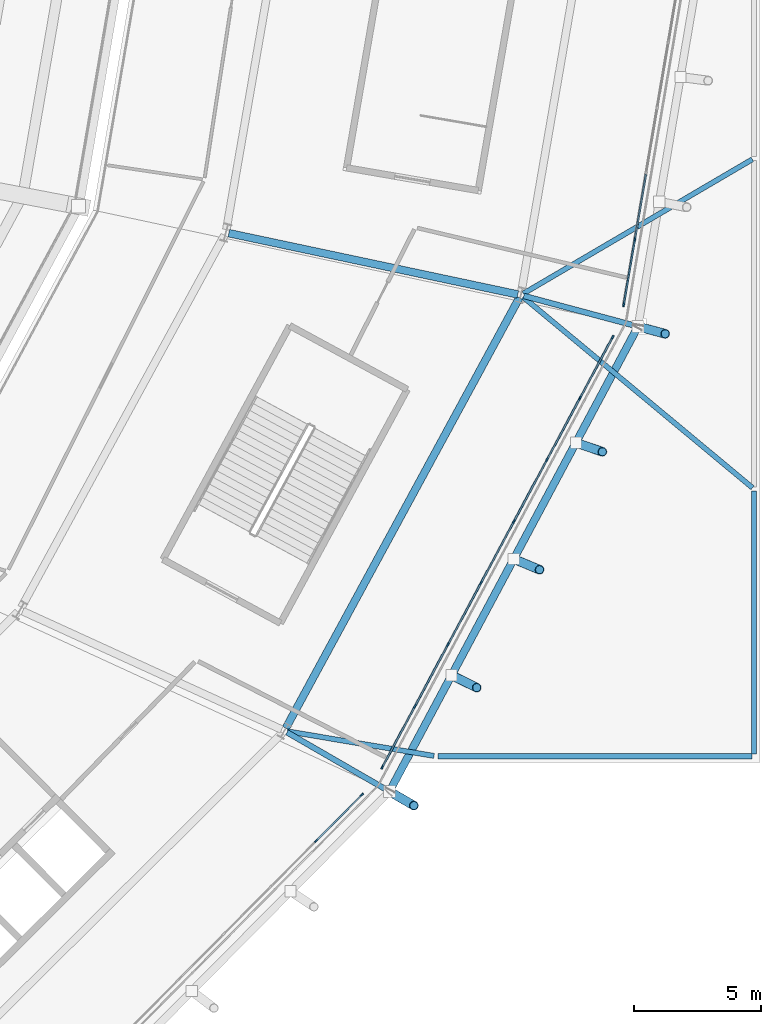
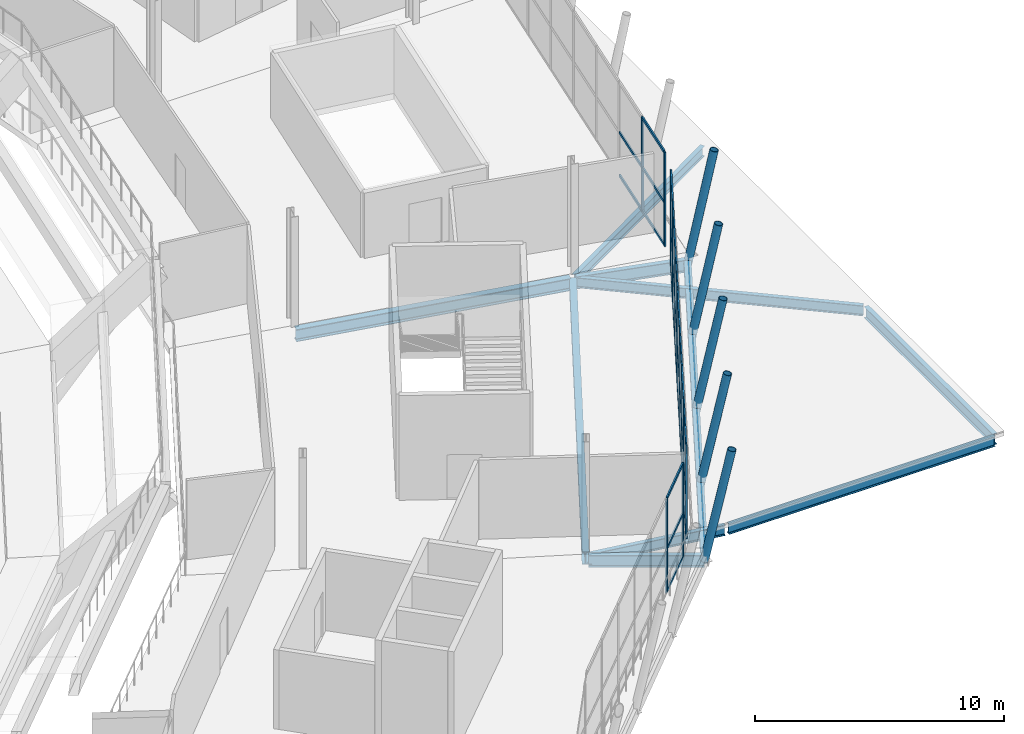
# One storey, part 42 of 126: 46 members, 10 beams, 3 elements without a shape of their own.
"""IFC4 building model written with IfcOpenShell, lengths in metres."""

from ifc_helpers import new_model, si_unit, direction, frame, origin, origin_2d, place, context, subcontext, project, spatial, rectangle, hollow_rectangle, hollow_circle, i_section, extrude, material, material_profile, profile_set, type_object, element, aggregate, save


model = new_model("IFC4")

# Units and contexts
model_context = context("Model", 3, precision=1e-05, world=origin(), true_north=direction((0.0, 1.0)))
body_context = subcontext(model_context, "Body", "Model", "MODEL_VIEW")
ifc_project = project(units=[si_unit("LENGTHUNIT", "METRE"), si_unit("AREAUNIT", "SQUARE_METRE"), si_unit("VOLUMEUNIT", "CUBIC_METRE"), si_unit("PLANEANGLEUNIT", "RADIAN"), si_unit("MASSUNIT", "GRAM", prefix="KILO")], contexts=[model_context])

# Site, building, storey
site_placement = place(None, origin())
site = spatial("IfcSite", under=ifc_project, at=site_placement, CompositionType="ELEMENT")
building_placement = place(site_placement, origin())
building = spatial("IfcBuilding", under=site, at=building_placement, Name="Zlatoyarsky Gate Stadium", CompositionType="ELEMENT")
storey_placement = place(building_placement, frame((0.0, 0.0, 20.800048828125)))
storey = spatial("IfcBuildingStorey", under=building, at=storey_placement, Name="L04", CompositionType="ELEMENT", Elevation=20.800048828125)

# Curtain wall, members
ifc_material_1 = material(Name="Thermally broken anodised aluminium curtain wall", Category="aluminium")
curtain_wall_type = type_object("IfcCurtainWallType", Name="UNITISED MEDIA RING GLAZING L04", PredefinedType="USERDEFINED", material=ifc_material_1)
curtain_wall_1_placement = place(storey_placement, origin())
curtain_wall_1 = element("IfcCurtainWall", 1, at=curtain_wall_1_placement, inside=storey, type_object=curtain_wall_type, Name="Curtain wall CW-L04-21", ObjectType="UNITISED GLAZING", PredefinedType="USERDEFINED")
ifc_material_2 = material(Name="Anodised aluminium 6063-T6", Category="aluminium")
ifc_material_profile_1 = material_profile(ifc_material_2, rectangle(XDim=0.06494140625, YDim=0.159912109375, at=origin_2d()), Name="ALU 65X160")
ifc_profile_set_1 = profile_set([ifc_material_profile_1], Name="Anodised aluminium 6063-T6")
member_type_1 = type_object("IfcMemberType", Name="ALUMINIUM MULLION 65X160", PredefinedType="MULLION", material=ifc_profile_set_1)
member_1_placement = place(storey_placement, frame((192.79296875, 40.17578125, 0.0), z_axis=(0.0, 0.0, 1.0), x_axis=(-0.709870536386, 0.704332181269, 0.0)))
member_1 = element("IfcMember", 2, at=member_1_placement, type_object=member_type_1, Name="CW-UG4 mullion 8", PredefinedType="MULLION", context=body_context, shape_type="SweptSolid", body=[
    extrude(rectangle(XDim=0.06494140625, YDim=0.159912109375, at=origin_2d()), origin(), (0.0, 0.0, 1.0), 4.619873046875),
])
member_2_placement = place(storey_placement, frame((194.583984375, 41.980712890625, 0.0), z_axis=(0.0, 0.0, 1.0), x_axis=(-0.709870536386, 0.704332181269, 0.0)))
member_2 = element("IfcMember", 3, at=member_2_placement, type_object=member_type_1, Name="CW-UG4 mullion 9", PredefinedType="MULLION", context=body_context, shape_type="SweptSolid", body=[
    extrude(rectangle(XDim=0.06494140625, YDim=0.159912109375, at=origin_2d()), origin(), (0.0, 0.0, 1.0), 4.619873046875),
])

curtain_wall_2_placement = place(storey_placement, origin())
curtain_wall_2 = element("IfcCurtainWall", 4, at=curtain_wall_2_placement, inside=storey, type_object=curtain_wall_type, Name="Curtain wall CW-L04-22", ObjectType="UNITISED GLAZING", PredefinedType="USERDEFINED")
member_3_placement = place(storey_placement, frame((195.386962890625, 43.06689453125, 0.0), z_axis=(0.0, 0.0, 1.0), x_axis=(-0.881520920878, 0.472144962966, 0.0)))
member_3 = element("IfcMember", 5, at=member_3_placement, type_object=member_type_1, Name="CW-UG4 mullion 1", PredefinedType="MULLION", context=body_context, shape_type="SweptSolid", body=[
    extrude(rectangle(XDim=0.06494140625, YDim=0.159912109375, at=origin_2d()), origin(), (0.0, 0.0, 1.0), 4.619873046875),
])
member_4_placement = place(storey_placement, frame((196.669189453125, 45.4609375, 0.0), z_axis=(0.0, 0.0, 1.0), x_axis=(-0.881520920878, 0.472144962966, 0.0)))
member_4 = element("IfcMember", 6, at=member_4_placement, type_object=member_type_1, Name="CW-UG4 mullion 2", PredefinedType="MULLION", context=body_context, shape_type="SweptSolid", body=[
    extrude(rectangle(XDim=0.06494140625, YDim=0.159912109375, at=origin_2d()), origin(), (0.0, 0.0, 1.0), 4.619873046875),
])
member_5_placement = place(storey_placement, frame((197.966796875, 47.8837890625, 0.0), z_axis=(0.0, 0.0, 1.0), x_axis=(-0.881520920878, 0.472144962966, 0.0)))
member_5 = element("IfcMember", 7, at=member_5_placement, type_object=member_type_1, Name="CW-UG4 mullion 3", PredefinedType="MULLION", context=body_context, shape_type="SweptSolid", body=[
    extrude(rectangle(XDim=0.06494140625, YDim=0.159912109375, at=origin_2d()), origin(), (0.0, 0.0, 1.0), 4.619873046875),
])
member_6_placement = place(storey_placement, frame((199.2646484375, 50.306396484375, 0.0), z_axis=(0.0, 0.0, 1.0), x_axis=(-0.881520920878, 0.472144962966, 0.0)))
member_6 = element("IfcMember", 8, at=member_6_placement, type_object=member_type_1, Name="CW-UG4 mullion 4", PredefinedType="MULLION", context=body_context, shape_type="SweptSolid", body=[
    extrude(rectangle(XDim=0.06494140625, YDim=0.159912109375, at=origin_2d()), origin(), (0.0, 0.0, 1.0), 4.619873046875),
])
member_7_placement = place(storey_placement, frame((200.562255859375, 52.729248046875, 0.0), z_axis=(0.0, 0.0, 1.0), x_axis=(-0.881520920878, 0.472144962966, 0.0)))
member_7 = element("IfcMember", 9, at=member_7_placement, type_object=member_type_1, Name="CW-UG4 mullion 5", PredefinedType="MULLION", context=body_context, shape_type="SweptSolid", body=[
    extrude(rectangle(XDim=0.06494140625, YDim=0.159912109375, at=origin_2d()), origin(), (0.0, 0.0, 1.0), 4.619873046875),
])
member_8_placement = place(storey_placement, frame((201.85986328125, 55.152099609375, 0.0), z_axis=(0.0, 0.0, 1.0), x_axis=(-0.881520920878, 0.472144962966, 0.0)))
member_8 = element("IfcMember", 10, at=member_8_placement, type_object=member_type_1, Name="CW-UG4 mullion 6", PredefinedType="MULLION", context=body_context, shape_type="SweptSolid", body=[
    extrude(rectangle(XDim=0.06494140625, YDim=0.159912109375, at=origin_2d()), origin(), (0.0, 0.0, 1.0), 4.619873046875),
])
member_9_placement = place(storey_placement, frame((203.157470703125, 57.57470703125, 0.0), z_axis=(0.0, 0.0, 1.0), x_axis=(-0.881520920878, 0.472144962966, 0.0)))
member_9 = element("IfcMember", 11, at=member_9_placement, type_object=member_type_1, Name="CW-UG4 mullion 7", PredefinedType="MULLION", context=body_context, shape_type="SweptSolid", body=[
    extrude(rectangle(XDim=0.06494140625, YDim=0.159912109375, at=origin_2d()), origin(), (0.0, 0.0, 1.0), 4.619873046875),
])
member_10_placement = place(storey_placement, frame((204.439697265625, 59.968994140625, 0.0), z_axis=(0.0, 0.0, 1.0), x_axis=(-0.881520920878, 0.472144962966, 0.0)))
member_10 = element("IfcMember", 12, at=member_10_placement, type_object=member_type_1, Name="CW-UG4 mullion 8", PredefinedType="MULLION", context=body_context, shape_type="SweptSolid", body=[
    extrude(rectangle(XDim=0.06494140625, YDim=0.159912109375, at=origin_2d()), origin(), (0.0, 0.0, 1.0), 4.619873046875),
])

curtain_wall_3_placement = place(storey_placement, origin())
curtain_wall_3 = element("IfcCurtainWall", 13, at=curtain_wall_3_placement, inside=storey, type_object=curtain_wall_type, Name="Curtain wall CW-L04-23", ObjectType="UNITISED GLAZING", PredefinedType="USERDEFINED")
member_11_placement = place(storey_placement, frame((204.87646484375, 61.243408203125, 0.0), z_axis=(0.0, 0.0, 1.0), x_axis=(-0.985817460475, 0.167821138782, 0.0)))
member_11 = element("IfcMember", 14, at=member_11_placement, type_object=member_type_1, Name="CW-UG4 mullion 1", PredefinedType="MULLION", context=body_context, shape_type="SweptSolid", body=[
    extrude(rectangle(XDim=0.06494140625, YDim=0.159912109375, at=origin_2d()), origin(), (0.0, 0.0, 1.0), 4.619873046875),
])
member_12_placement = place(storey_placement, frame((205.3125, 63.803955078125, 0.0), z_axis=(0.0, 0.0, 1.0), x_axis=(-0.985817460475, 0.167821138782, 0.0)))
member_12 = element("IfcMember", 15, at=member_12_placement, type_object=member_type_1, Name="CW-UG4 mullion 2", PredefinedType="MULLION", context=body_context, shape_type="SweptSolid", body=[
    extrude(rectangle(XDim=0.06494140625, YDim=0.159912109375, at=origin_2d()), origin(), (0.0, 0.0, 1.0), 4.619873046875),
])

# Member
ifc_material_profile_2 = material_profile(ifc_material_2, rectangle(XDim=0.06494140625, YDim=0.139892578125, at=origin_2d()), Name="ALU 65X140")
ifc_profile_set_2 = profile_set([ifc_material_profile_2], Name="Anodised aluminium 6063-T6")
member_type_2 = type_object("IfcMemberType", Name="ALUMINIUM TRANSOM 65X140", PredefinedType="USERDEFINED", material=ifc_profile_set_2)
member_13_placement = place(storey_placement, frame((192.81591796875, 40.19873046875, 0.032470703125), z_axis=(0.704293097674, 0.709909312919, 0.0), x_axis=(-0.709909312919, 0.704293097674, 0.0)))
member_13 = element("IfcMember", 16, at=member_13_placement, type_object=member_type_2, Name="CW-UG4 transom 8.1", ObjectType="TRANSOM", PredefinedType="USERDEFINED", context=body_context, shape_type="SweptSolid", body=[
    extrude(rectangle(XDim=0.06494140625, YDim=0.139892578125, at=origin_2d()), origin(), (0.0, 0.0, 1.0), 2.477783203125),
])

member_14_placement = place(storey_placement, frame((192.81591796875, 40.19873046875, 2.14990234375), z_axis=(0.704293097674, 0.709909312919, 0.0), x_axis=(-0.709909312919, 0.704293097674, 0.0)))
member_14 = element("IfcMember", 17, at=member_14_placement, type_object=member_type_2, Name="CW-UG4 transom 8.2", ObjectType="TRANSOM", PredefinedType="USERDEFINED", context=body_context, shape_type="SweptSolid", body=[
    extrude(rectangle(XDim=0.06494140625, YDim=0.139892578125, at=origin_2d()), origin(), (0.0, 0.0, 1.0), 2.477783203125),
])

member_15_placement = place(storey_placement, frame((192.81591796875, 40.19873046875, 4.58740234375), z_axis=(0.704293097674, 0.709909312919, 0.0), x_axis=(-0.709909312919, 0.704293097674, 0.0)))
member_15 = element("IfcMember", 18, at=member_15_placement, type_object=member_type_2, Name="CW-UG4 transom 8.3", ObjectType="TRANSOM", PredefinedType="USERDEFINED", context=body_context, shape_type="SweptSolid", body=[
    extrude(rectangle(XDim=0.06494140625, YDim=0.139892578125, at=origin_2d()), origin(), (0.0, 0.0, 1.0), 2.477783203125),
])

aggregate(curtain_wall_1, [member_1, member_2, member_13, member_14, member_15])

member_16_placement = place(storey_placement, frame((195.40234375, 43.095458984375, 0.032470703125), z_axis=(0.472088510191, 0.881551154809, 0.0), x_axis=(-0.881551154809, 0.472088510191, 0.0)))
member_16 = element("IfcMember", 19, at=member_16_placement, type_object=member_type_2, Name="CW-UG4 transom 1.1", ObjectType="TRANSOM", PredefinedType="USERDEFINED", context=body_context, shape_type="SweptSolid", body=[
    extrude(rectangle(XDim=0.06494140625, YDim=0.139892578125, at=origin_2d()), origin(), (0.0, 0.0, 1.0), 2.65087890625),
])

member_17_placement = place(storey_placement, frame((195.40234375, 43.095458984375, 2.14990234375), z_axis=(0.472088510191, 0.881551154809, 0.0), x_axis=(-0.881551154809, 0.472088510191, 0.0)))
member_17 = element("IfcMember", 20, at=member_17_placement, type_object=member_type_2, Name="CW-UG4 transom 1.2", ObjectType="TRANSOM", PredefinedType="USERDEFINED", context=body_context, shape_type="SweptSolid", body=[
    extrude(rectangle(XDim=0.06494140625, YDim=0.139892578125, at=origin_2d()), origin(), (0.0, 0.0, 1.0), 2.65087890625),
])

member_18_placement = place(storey_placement, frame((195.40234375, 43.095458984375, 4.58740234375), z_axis=(0.472088510191, 0.881551154809, 0.0), x_axis=(-0.881551154809, 0.472088510191, 0.0)))
member_18 = element("IfcMember", 21, at=member_18_placement, type_object=member_type_2, Name="CW-UG4 transom 1.3", ObjectType="TRANSOM", PredefinedType="USERDEFINED", context=body_context, shape_type="SweptSolid", body=[
    extrude(rectangle(XDim=0.06494140625, YDim=0.139892578125, at=origin_2d()), origin(), (0.0, 0.0, 1.0), 2.65087890625),
])

member_19_placement = place(storey_placement, frame((196.6845703125, 45.489501953125, 0.032470703125), z_axis=(0.47218354153, 0.88150025701, 0.0), x_axis=(-0.88150025701, 0.47218354153, 0.0)))
member_19 = element("IfcMember", 22, at=member_19_placement, type_object=member_type_2, Name="CW-UG4 transom 2.1", ObjectType="TRANSOM", PredefinedType="USERDEFINED", context=body_context, shape_type="SweptSolid", body=[
    extrude(rectangle(XDim=0.06494140625, YDim=0.139892578125, at=origin_2d()), origin(), (0.0, 0.0, 1.0), 2.683349609375),
])

member_20_placement = place(storey_placement, frame((196.6845703125, 45.489501953125, 2.14990234375), z_axis=(0.47218354153, 0.88150025701, 0.0), x_axis=(-0.88150025701, 0.47218354153, 0.0)))
member_20 = element("IfcMember", 23, at=member_20_placement, type_object=member_type_2, Name="CW-UG4 transom 2.2", ObjectType="TRANSOM", PredefinedType="USERDEFINED", context=body_context, shape_type="SweptSolid", body=[
    extrude(rectangle(XDim=0.06494140625, YDim=0.139892578125, at=origin_2d()), origin(), (0.0, 0.0, 1.0), 2.683349609375),
])

member_21_placement = place(storey_placement, frame((196.6845703125, 45.489501953125, 4.58740234375), z_axis=(0.47218354153, 0.88150025701, 0.0), x_axis=(-0.88150025701, 0.47218354153, 0.0)))
member_21 = element("IfcMember", 24, at=member_21_placement, type_object=member_type_2, Name="CW-UG4 transom 2.3", ObjectType="TRANSOM", PredefinedType="USERDEFINED", context=body_context, shape_type="SweptSolid", body=[
    extrude(rectangle(XDim=0.06494140625, YDim=0.139892578125, at=origin_2d()), origin(), (0.0, 0.0, 1.0), 2.683349609375),
])

member_22_placement = place(storey_placement, frame((197.982177734375, 47.912353515625, 0.032470703125), z_axis=(0.47218354153, 0.88150025701, 0.0), x_axis=(-0.88150025701, 0.47218354153, 0.0)))
member_22 = element("IfcMember", 25, at=member_22_placement, type_object=member_type_2, Name="CW-UG4 transom 3.1", ObjectType="TRANSOM", PredefinedType="USERDEFINED", context=body_context, shape_type="SweptSolid", body=[
    extrude(rectangle(XDim=0.06494140625, YDim=0.139892578125, at=origin_2d()), origin(), (0.0, 0.0, 1.0), 2.683349609375),
])

member_23_placement = place(storey_placement, frame((197.982177734375, 47.912353515625, 2.14990234375), z_axis=(0.47218354153, 0.88150025701, 0.0), x_axis=(-0.88150025701, 0.47218354153, 0.0)))
member_23 = element("IfcMember", 26, at=member_23_placement, type_object=member_type_2, Name="CW-UG4 transom 3.2", ObjectType="TRANSOM", PredefinedType="USERDEFINED", context=body_context, shape_type="SweptSolid", body=[
    extrude(rectangle(XDim=0.06494140625, YDim=0.139892578125, at=origin_2d()), origin(), (0.0, 0.0, 1.0), 2.683349609375),
])

member_24_placement = place(storey_placement, frame((197.982177734375, 47.912353515625, 4.58740234375), z_axis=(0.47218354153, 0.88150025701, 0.0), x_axis=(-0.88150025701, 0.47218354153, 0.0)))
member_24 = element("IfcMember", 27, at=member_24_placement, type_object=member_type_2, Name="CW-UG4 transom 3.3", ObjectType="TRANSOM", PredefinedType="USERDEFINED", context=body_context, shape_type="SweptSolid", body=[
    extrude(rectangle(XDim=0.06494140625, YDim=0.139892578125, at=origin_2d()), origin(), (0.0, 0.0, 1.0), 2.683349609375),
])

member_25_placement = place(storey_placement, frame((199.27978515625, 50.335205078125, 0.032470703125), z_axis=(0.47218354153, 0.88150025701, 0.0), x_axis=(-0.88150025701, 0.47218354153, 0.0)))
member_25 = element("IfcMember", 28, at=member_25_placement, type_object=member_type_2, Name="CW-UG4 transom 4.1", ObjectType="TRANSOM", PredefinedType="USERDEFINED", context=body_context, shape_type="SweptSolid", body=[
    extrude(rectangle(XDim=0.06494140625, YDim=0.139892578125, at=origin_2d()), origin(), (0.0, 0.0, 1.0), 2.683349609375),
])

member_26_placement = place(storey_placement, frame((199.27978515625, 50.335205078125, 2.14990234375), z_axis=(0.47218354153, 0.88150025701, 0.0), x_axis=(-0.88150025701, 0.47218354153, 0.0)))
member_26 = element("IfcMember", 29, at=member_26_placement, type_object=member_type_2, Name="CW-UG4 transom 4.2", ObjectType="TRANSOM", PredefinedType="USERDEFINED", context=body_context, shape_type="SweptSolid", body=[
    extrude(rectangle(XDim=0.06494140625, YDim=0.139892578125, at=origin_2d()), origin(), (0.0, 0.0, 1.0), 2.683349609375),
])

member_27_placement = place(storey_placement, frame((199.27978515625, 50.335205078125, 4.58740234375), z_axis=(0.47218354153, 0.88150025701, 0.0), x_axis=(-0.88150025701, 0.47218354153, 0.0)))
member_27 = element("IfcMember", 30, at=member_27_placement, type_object=member_type_2, Name="CW-UG4 transom 4.3", ObjectType="TRANSOM", PredefinedType="USERDEFINED", context=body_context, shape_type="SweptSolid", body=[
    extrude(rectangle(XDim=0.06494140625, YDim=0.139892578125, at=origin_2d()), origin(), (0.0, 0.0, 1.0), 2.683349609375),
])

member_28_placement = place(storey_placement, frame((200.57763671875, 52.758056640625, 0.032470703125), z_axis=(0.472150710596, 0.881517842408, 0.0), x_axis=(-0.881517842408, 0.472150710596, 0.0)))
member_28 = element("IfcMember", 31, at=member_28_placement, type_object=member_type_2, Name="CW-UG4 transom 5.1", ObjectType="TRANSOM", PredefinedType="USERDEFINED", context=body_context, shape_type="SweptSolid", body=[
    extrude(rectangle(XDim=0.06494140625, YDim=0.139892578125, at=origin_2d()), origin(), (0.0, 0.0, 1.0), 2.68310546875),
])

member_29_placement = place(storey_placement, frame((200.57763671875, 52.758056640625, 2.14990234375), z_axis=(0.472150710596, 0.881517842408, 0.0), x_axis=(-0.881517842408, 0.472150710596, 0.0)))
member_29 = element("IfcMember", 32, at=member_29_placement, type_object=member_type_2, Name="CW-UG4 transom 5.2", ObjectType="TRANSOM", PredefinedType="USERDEFINED", context=body_context, shape_type="SweptSolid", body=[
    extrude(rectangle(XDim=0.06494140625, YDim=0.139892578125, at=origin_2d()), origin(), (0.0, 0.0, 1.0), 2.68310546875),
])

member_30_placement = place(storey_placement, frame((200.57763671875, 52.758056640625, 4.58740234375), z_axis=(0.472150710596, 0.881517842408, 0.0), x_axis=(-0.881517842408, 0.472150710596, 0.0)))
member_30 = element("IfcMember", 33, at=member_30_placement, type_object=member_type_2, Name="CW-UG4 transom 5.3", ObjectType="TRANSOM", PredefinedType="USERDEFINED", context=body_context, shape_type="SweptSolid", body=[
    extrude(rectangle(XDim=0.06494140625, YDim=0.139892578125, at=origin_2d()), origin(), (0.0, 0.0, 1.0), 2.68310546875),
])

member_31_placement = place(storey_placement, frame((201.875244140625, 55.1806640625, 0.032470703125), z_axis=(0.472112842027, 0.881538124186, 0.0), x_axis=(-0.881538124186, 0.472112842027, 0.0)))
member_31 = element("IfcMember", 34, at=member_31_placement, type_object=member_type_2, Name="CW-UG4 transom 6.1", ObjectType="TRANSOM", PredefinedType="USERDEFINED", context=body_context, shape_type="SweptSolid", body=[
    extrude(rectangle(XDim=0.06494140625, YDim=0.139892578125, at=origin_2d()), origin(), (0.0, 0.0, 1.0), 2.683349609375),
])

member_32_placement = place(storey_placement, frame((201.875244140625, 55.1806640625, 2.14990234375), z_axis=(0.472112842027, 0.881538124186, 0.0), x_axis=(-0.881538124186, 0.472112842027, 0.0)))
member_32 = element("IfcMember", 35, at=member_32_placement, type_object=member_type_2, Name="CW-UG4 transom 6.2", ObjectType="TRANSOM", PredefinedType="USERDEFINED", context=body_context, shape_type="SweptSolid", body=[
    extrude(rectangle(XDim=0.06494140625, YDim=0.139892578125, at=origin_2d()), origin(), (0.0, 0.0, 1.0), 2.683349609375),
])

member_33_placement = place(storey_placement, frame((201.875244140625, 55.1806640625, 4.58740234375), z_axis=(0.472112842027, 0.881538124186, 0.0), x_axis=(-0.881538124186, 0.472112842027, 0.0)))
member_33 = element("IfcMember", 36, at=member_33_placement, type_object=member_type_2, Name="CW-UG4 transom 6.3", ObjectType="TRANSOM", PredefinedType="USERDEFINED", context=body_context, shape_type="SweptSolid", body=[
    extrude(rectangle(XDim=0.06494140625, YDim=0.139892578125, at=origin_2d()), origin(), (0.0, 0.0, 1.0), 2.683349609375),
])

member_34_placement = place(storey_placement, frame((203.1728515625, 57.603515625, 0.032470703125), z_axis=(0.472126840824, 0.881530626906, 0.0), x_axis=(-0.881530626906, 0.472126840824, 0.0)))
member_34 = element("IfcMember", 37, at=member_34_placement, type_object=member_type_2, Name="CW-UG4 transom 7.1", ObjectType="TRANSOM", PredefinedType="USERDEFINED", context=body_context, shape_type="SweptSolid", body=[
    extrude(rectangle(XDim=0.06494140625, YDim=0.139892578125, at=origin_2d()), origin(), (0.0, 0.0, 1.0), 2.650634765625),
])

member_35_placement = place(storey_placement, frame((203.1728515625, 57.603515625, 2.14990234375), z_axis=(0.472126840824, 0.881530626906, 0.0), x_axis=(-0.881530626906, 0.472126840824, 0.0)))
member_35 = element("IfcMember", 38, at=member_35_placement, type_object=member_type_2, Name="CW-UG4 transom 7.2", ObjectType="TRANSOM", PredefinedType="USERDEFINED", context=body_context, shape_type="SweptSolid", body=[
    extrude(rectangle(XDim=0.06494140625, YDim=0.139892578125, at=origin_2d()), origin(), (0.0, 0.0, 1.0), 2.650634765625),
])

member_36_placement = place(storey_placement, frame((203.1728515625, 57.603515625, 4.58740234375), z_axis=(0.472126840824, 0.881530626906, 0.0), x_axis=(-0.881530626906, 0.472126840824, 0.0)))
member_36 = element("IfcMember", 39, at=member_36_placement, type_object=member_type_2, Name="CW-UG4 transom 7.3", ObjectType="TRANSOM", PredefinedType="USERDEFINED", context=body_context, shape_type="SweptSolid", body=[
    extrude(rectangle(XDim=0.06494140625, YDim=0.139892578125, at=origin_2d()), origin(), (0.0, 0.0, 1.0), 2.650634765625),
])

aggregate(curtain_wall_2, [member_3, member_4, member_5, member_6, member_7, member_8, member_9, member_10, member_16, member_17, member_18, member_19, member_20, member_21, member_22, member_23, member_24, member_25, member_26, member_27, member_28, member_29, member_30, member_31, member_32, member_33, member_34, member_35, member_36])

member_37_placement = place(storey_placement, frame((204.882080078125, 61.275390625, 0.032470703125), z_axis=(0.167743532515, 0.985830668675, 0.0), x_axis=(-0.985830668675, 0.167743532515, 0.0)))
member_37 = element("IfcMember", 40, at=member_37_placement, type_object=member_type_2, Name="CW-UG4 transom 1.1", ObjectType="TRANSOM", PredefinedType="USERDEFINED", context=body_context, shape_type="SweptSolid", body=[
    extrude(rectangle(XDim=0.06494140625, YDim=0.139892578125, at=origin_2d()), origin(), (0.0, 0.0, 1.0), 2.532470703125),
])

member_38_placement = place(storey_placement, frame((204.882080078125, 61.275390625, 2.14990234375), z_axis=(0.167743532515, 0.985830668675, 0.0), x_axis=(-0.985830668675, 0.167743532515, 0.0)))
member_38 = element("IfcMember", 41, at=member_38_placement, type_object=member_type_2, Name="CW-UG4 transom 1.2", ObjectType="TRANSOM", PredefinedType="USERDEFINED", context=body_context, shape_type="SweptSolid", body=[
    extrude(rectangle(XDim=0.06494140625, YDim=0.139892578125, at=origin_2d()), origin(), (0.0, 0.0, 1.0), 2.532470703125),
])

member_39_placement = place(storey_placement, frame((204.882080078125, 61.275390625, 4.58740234375), z_axis=(0.167743532515, 0.985830668675, 0.0), x_axis=(-0.985830668675, 0.167743532515, 0.0)))
member_39 = element("IfcMember", 42, at=member_39_placement, type_object=member_type_2, Name="CW-UG4 transom 1.3", ObjectType="TRANSOM", PredefinedType="USERDEFINED", context=body_context, shape_type="SweptSolid", body=[
    extrude(rectangle(XDim=0.06494140625, YDim=0.139892578125, at=origin_2d()), origin(), (0.0, 0.0, 1.0), 2.532470703125),
])

member_40_placement = place(storey_placement, frame((205.31787109375, 63.8359375, 0.032470703125), z_axis=(0.167809188873, 0.9858194947, 0.0), x_axis=(-0.9858194947, 0.167809188873, 0.0)))
member_40 = element("IfcMember", 43, at=member_40_placement, type_object=member_type_2, Name="CW-UG4 transom 2.1", ObjectType="TRANSOM", PredefinedType="USERDEFINED", context=body_context, shape_type="SweptSolid", body=[
    extrude(rectangle(XDim=0.06494140625, YDim=0.139892578125, at=origin_2d()), origin(), (0.0, 0.0, 1.0), 2.56494140625),
])

member_41_placement = place(storey_placement, frame((205.31787109375, 63.8359375, 2.14990234375), z_axis=(0.167809188873, 0.9858194947, 0.0), x_axis=(-0.9858194947, 0.167809188873, 0.0)))
member_41 = element("IfcMember", 44, at=member_41_placement, type_object=member_type_2, Name="CW-UG4 transom 2.2", ObjectType="TRANSOM", PredefinedType="USERDEFINED", context=body_context, shape_type="SweptSolid", body=[
    extrude(rectangle(XDim=0.06494140625, YDim=0.139892578125, at=origin_2d()), origin(), (0.0, 0.0, 1.0), 2.56494140625),
])

aggregate(curtain_wall_3, [member_11, member_12, member_37, member_38, member_39, member_40, member_41])

# Beams
ifc_material_3 = material(Name="Steel S355", Category="steel")
ifc_material_profile_3 = material_profile(ifc_material_3, i_section(OverallWidth=0.219970703125, OverallDepth=0.60009765625, WebThickness=0.011962890625, FlangeThickness=0.01904296875, FilletRadius=0.02392578125, at=origin_2d()), Name="IPE 600")
ifc_profile_set_3 = profile_set([ifc_material_profile_3], Name="Steel S355")
beam_type_1 = type_object("IfcBeamType", Name="STEEL CANTILEVER FLOOR BEAM IPE 600", PredefinedType="BEAM", material=ifc_profile_set_3)
beam_1_placement = place(storey_placement, frame((191.644287109375, 44.43994140625, -0.60009765625), z_axis=(0.866030814921, -0.499990627519, 0.0), x_axis=(0.499990627519, 0.866030814921, 0.0)))
element("IfcBeam", 45, at=beam_1_placement, inside=storey, type_object=beam_type_1, Name="Beam B-IPE600 BM-L04-OUT-22", PredefinedType="BEAM", context=body_context, shape_type="SweptSolid", body=[
    extrude(i_section(OverallWidth=0.219970703125, OverallDepth=0.60009765625, WebThickness=0.011962890625, FlangeThickness=0.01904296875, FilletRadius=0.02392578125, at=origin_2d()), origin(), (0.0, 0.0, 1.0), 4.6494140625),
])
beam_2_placement = place(storey_placement, frame((200.947021484375, 61.5927734375, -0.60009765625), z_axis=(0.965928364246, -0.258809573134, 0.0), x_axis=(0.258809573134, 0.965928364246, 0.0)))
element("IfcBeam", 46, at=beam_2_placement, inside=storey, type_object=beam_type_1, Name="Beam B-IPE600 BM-L04-OUT-23", PredefinedType="BEAM", context=body_context, shape_type="SweptSolid", body=[
    extrude(i_section(OverallWidth=0.219970703125, OverallDepth=0.60009765625, WebThickness=0.011962890625, FlangeThickness=0.01904296875, FilletRadius=0.02392578125, at=origin_2d()), origin(), (0.0, 0.0, 1.0), 4.649658203125),
])
ifc_material_profile_4 = material_profile(ifc_material_3, i_section(OverallWidth=0.199951171875, OverallDepth=0.5, WebThickness=0.01025390625, FlangeThickness=0.01611328125, FilletRadius=0.02099609375, at=origin_2d()), Name="IPE 500")
ifc_profile_set_4 = profile_set([ifc_material_profile_4], Name="Steel S355")
beam_type_2 = type_object("IfcBeamType", Name="STEEL FLOOR BEAM IPE 500", PredefinedType="BEAM", material=ifc_profile_set_4)
beam_3_placement = place(storey_placement, frame((197.580078125, 43.5, -0.550048828125), z_axis=(1.0, 0.0, 0.0), x_axis=(0.0, 1.0, 0.0)))
element("IfcBeam", 47, at=beam_3_placement, inside=storey, type_object=beam_type_2, Name="Beam B-IPE500 BM-L04-WGX-17-E", PredefinedType="BEAM", context=body_context, shape_type="SweptSolid", body=[
    extrude(i_section(OverallWidth=0.199951171875, OverallDepth=0.5, WebThickness=0.01025390625, FlangeThickness=0.01611328125, FilletRadius=0.02099609375, at=origin_2d()), origin(), (0.0, 0.0, 1.0), 12.33984375),
])
beam_4_placement = place(storey_placement, frame((197.421142578125, 43.51318359375, -0.550048828125), z_axis=(-0.986216052635, 0.165462677136, 0.0), x_axis=(-0.165462677136, -0.986216052635, 0.0)))
element("IfcBeam", 48, at=beam_4_placement, inside=storey, type_object=beam_type_2, Name="Beam B-IPE500 BM-L04-WRF-E1", PredefinedType="BEAM", context=body_context, shape_type="SweptSolid", body=[
    extrude(i_section(OverallWidth=0.199951171875, OverallDepth=0.5, WebThickness=0.01025390625, FlangeThickness=0.01611328125, FilletRadius=0.02099609375, at=origin_2d()), origin(), (0.0, 0.0, 1.0), 5.843017578125),
])
beam_5_placement = place(storey_placement, frame((209.9384765625, 54.051025390625, -0.550048828125), z_axis=(-0.768913795001, 0.63935246606, 0.0), x_axis=(-0.63935246606, -0.768913795001, 0.0)))
element("IfcBeam", 49, at=beam_5_placement, inside=storey, type_object=beam_type_2, Name="Beam B-IPE500 BM-L04-WRF-E2", PredefinedType="BEAM", context=body_context, shape_type="SweptSolid", body=[
    extrude(i_section(OverallWidth=0.199951171875, OverallDepth=0.5, WebThickness=0.01025390625, FlangeThickness=0.01611328125, FilletRadius=0.02099609375, at=origin_2d()), origin(), (0.0, 0.0, 1.0), 11.724609375),
])
beam_6_placement = place(storey_placement, frame((209.930908203125, 66.95947265625, -0.550048828125), z_axis=(-0.862648306974, -0.505804209625, 0.0), x_axis=(0.505804209625, -0.862648306974, 0.0)))
element("IfcBeam", 50, at=beam_6_placement, inside=storey, type_object=beam_type_2, Name="Beam B-IPE500 BM-L04-WRF-E3", PredefinedType="BEAM", context=body_context, shape_type="SweptSolid", body=[
    extrude(i_section(OverallWidth=0.199951171875, OverallDepth=0.5, WebThickness=0.01025390625, FlangeThickness=0.01611328125, FilletRadius=0.02099609375, at=origin_2d()), origin(), (0.0, 0.0, 1.0), 10.4287109375),
])
ifc_material_profile_5 = material_profile(ifc_material_3, i_section(OverallWidth=0.2099609375, OverallDepth=0.550048828125, WebThickness=0.010986328125, FlangeThickness=0.01708984375, FilletRadius=0.02392578125, at=origin_2d()), Name="IPE 550")
ifc_profile_set_5 = profile_set([ifc_material_profile_5], Name="Steel S355")
beam_type_3 = type_object("IfcBeamType", Name="STEEL FLOOR BEAM IPE 550", PredefinedType="BEAM", material=ifc_profile_set_5)
beam_7_placement = place(storey_placement, frame((210.0, 43.580078125, -0.574951171875), z_axis=(0.0, 1.0, 0.0), x_axis=(-1.0, 0.0, 0.0)))
element("IfcBeam", 51, at=beam_7_placement, inside=storey, type_object=beam_type_3, Name="Beam B-IPE550 BM-L04-WGY-18-E", PredefinedType="BEAM", context=body_context, shape_type="SweptSolid", body=[
    extrude(i_section(OverallWidth=0.2099609375, OverallDepth=0.550048828125, WebThickness=0.010986328125, FlangeThickness=0.01708984375, FilletRadius=0.02392578125, at=origin_2d()), origin(), (0.0, 0.0, 1.0), 10.33984375),
])

# Members
ifc_material_profile_6 = material_profile(ifc_material_3, hollow_circle(Radius=0.177734375, WallThickness=0.02001953125, at=origin_2d()), Name="CHS 355.6X20")
ifc_profile_set_6 = profile_set([ifc_material_profile_6], Name="Steel S355")
member_type_3 = type_object("IfcMemberType", Name="STEEL LEANING RIB RING STRUT CHS 355.6X20", PredefinedType="STRUT", material=ifc_profile_set_6)
for number, where, z_axis, x_axis, name in (
    (52, (195.6708984375, 42.115234375, -0.60009765625), (0.172911505966, -0.09986826807, 0.979861184116), (0.500141833641, 0.865943500606, 0.0), "Leaning ring strut 22 L04 to L05"),
    (53, (205.438232421875, 60.389404296875, -0.60009765625), (0.192834107222, -0.051671625082, 0.979869914965), (0.25882783967, 0.965923469749, 0.0), "Leaning ring strut 23 L04 to L05"),
):
    element("IfcMember", number, at=place(storey_placement, frame(where, z_axis=z_axis, x_axis=x_axis)), inside=storey, type_object=member_type_3, Name=name, PredefinedType="STRUT", context=body_context, shape_type="SweptSolid", body=[
        extrude(hollow_circle(Radius=0.177734375, WallThickness=0.02001953125, at=origin_2d()), origin(), (0.0, 0.0, 1.0), 5.5517578125),
    ])
member_42_placement = place(storey_placement, frame((198.11279296875, 46.683837890625, -0.550048828125), z_axis=(0.177926851198, -0.087841760653, 0.980115228281), x_axis=(0.442685702063, 0.896676847693, 0.0)))
element("IfcMember", 54, at=member_42_placement, inside=storey, type_object=member_type_3, Name="Outward-leaning bowl louvre fin rib L04 22-1", PredefinedType="STRUT", context=body_context, shape_type="SweptSolid", body=[
    extrude(hollow_circle(Radius=0.177734375, WallThickness=0.02001953125, at=origin_2d()), origin(), (0.0, 0.0, 1.0), 5.55029296875),
])
member_43_placement = place(storey_placement, frame((200.5546875, 51.252197265625, -0.550048828125), z_axis=(0.182914317076, -0.075752393941, 0.980206063754), x_axis=(0.382626535499, 0.923903097912, 0.0)))
element("IfcMember", 55, at=member_43_placement, inside=storey, type_object=member_type_3, Name="Outward-leaning bowl louvre fin rib L04 22-2", PredefinedType="STRUT", context=body_context, shape_type="SweptSolid", body=[
    extrude(hollow_circle(Radius=0.177734375, WallThickness=0.02001953125, at=origin_2d()), origin(), (0.0, 0.0, 1.0), 5.5498046875),
])
member_44_placement = place(storey_placement, frame((202.996337890625, 55.82080078125, -0.550048828125), z_axis=(0.187911950182, -0.06373698872, 0.980115654016), x_axis=(0.321211146144, 0.947007602711, 0.0)))
element("IfcMember", 56, at=member_44_placement, inside=storey, type_object=member_type_3, Name="Outward-leaning bowl louvre fin rib L04 22-3", PredefinedType="STRUT", context=body_context, shape_type="SweptSolid", body=[
    extrude(hollow_circle(Radius=0.177734375, WallThickness=0.02001953125, at=origin_2d()), origin(), (0.0, 0.0, 1.0), 5.55029296875),
])

# Beams
ifc_material_profile_7 = material_profile(ifc_material_3, hollow_rectangle(XDim=0.300048828125, YDim=0.5, WallThickness=0.02001953125, at=origin_2d()), Name="RHS 500X300X20")
ifc_profile_set_7 = profile_set([ifc_material_profile_7], Name="Steel S355")
beam_type_4 = type_object("IfcBeamType", Name="STEEL LOUVRE CARRIER SPANDREL RHS 500X300X20", PredefinedType="SPANDREL", material=ifc_profile_set_7)
beam_8_placement = place(storey_placement, frame((195.680419921875, 42.1328125, -0.550048828125), z_axis=(0.471371730218, 0.881934630203, 0.0), x_axis=(-0.881934630203, 0.471371730218, 0.0)))
element("IfcBeam", 57, at=beam_8_placement, inside=storey, type_object=beam_type_4, Name="Beam SP-RHS500 BM-L04-SPD-22", PredefinedType="SPANDREL", context=body_context, shape_type="SweptSolid", body=[
    extrude(hollow_rectangle(XDim=0.300048828125, YDim=0.5, WallThickness=0.02001953125, at=origin_2d()), origin(), (0.0, 0.0, 1.0), 20.6806640625),
])
ifc_material_profile_8 = material_profile(ifc_material_3, i_section(OverallWidth=0.300048828125, OverallDepth=0.60009765625, WebThickness=0.015380859375, FlangeThickness=0.030029296875, FilletRadius=0.027099609375, at=origin_2d()), Name="HEB 600")
ifc_profile_set_8 = profile_set([ifc_material_profile_8], Name="Steel S355")
beam_type_5 = type_object("IfcBeamType", Name="STEEL PRIMARY GIRDER HEB 600", PredefinedType="BEAM", material=ifc_profile_set_8)
beam_9_placement = place(storey_placement, frame((191.59765625, 44.60546875, -0.60009765625), z_axis=(0.476891650323, 0.878962088973, 0.0), x_axis=(-0.878962088973, 0.476891650323, 0.0)))
element("IfcBeam", 58, at=beam_9_placement, inside=storey, type_object=beam_type_5, Name="Beam G-HEB600 BM-L04-CRC-22", PredefinedType="BEAM", context=body_context, shape_type="SweptSolid", body=[
    extrude(i_section(OverallWidth=0.300048828125, OverallDepth=0.60009765625, WebThickness=0.015380859375, FlangeThickness=0.030029296875, FilletRadius=0.027099609375, at=origin_2d()), origin(), (0.0, 0.0, 1.0), 19.241943359375),
])
beam_10_placement = place(storey_placement, frame((189.357421875, 64.0576171875, -0.60009765625), z_axis=(0.978233348926, -0.207507867438, 0.0), x_axis=(0.207507867438, 0.978233348926, 0.0)))
element("IfcBeam", 59, at=beam_10_placement, inside=storey, type_object=beam_type_5, Name="Beam G-HEB600 BM-L04-RBC-23", PredefinedType="BEAM", context=body_context, shape_type="SweptSolid", body=[
    extrude(i_section(OverallWidth=0.300048828125, OverallDepth=0.60009765625, WebThickness=0.015380859375, FlangeThickness=0.030029296875, FilletRadius=0.027099609375, at=origin_2d()), origin(), (0.0, 0.0, 1.0), 11.60888671875),
])

save(model, "model.ifc")
